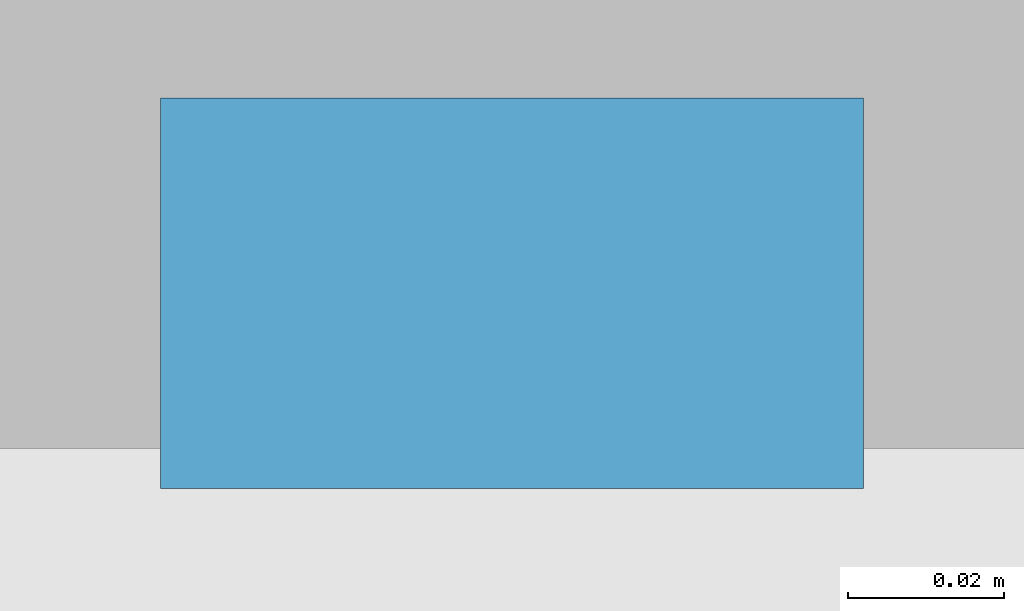
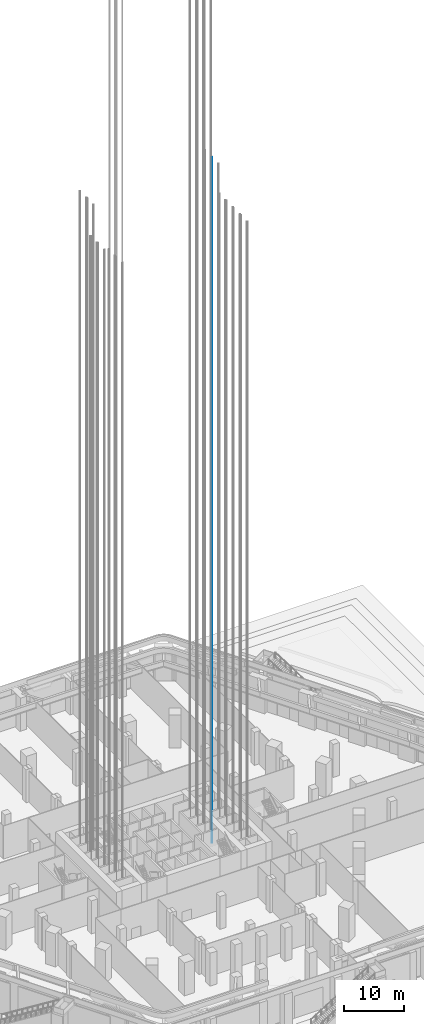
# One storey, part 58 of 68: 1 discrete accessory.
"""IFC4 building model written with IfcOpenShell, lengths in metres."""

from ifc_helpers import new_model, si_unit, direction, frame, origin, origin_2d, place, context, subcontext, project, spatial, rectangle, extrude, element, save


model = new_model("IFC4")

# Units and contexts
model_context = context("Model", 3, precision=1e-05, world=origin(), true_north=direction((0.0, 1.0)))
body_context = subcontext(model_context, "Body", "Model", "MODEL_VIEW")
ifc_project = project(units=[si_unit("LENGTHUNIT", "METRE"), si_unit("AREAUNIT", "SQUARE_METRE"), si_unit("VOLUMEUNIT", "CUBIC_METRE"), si_unit("PLANEANGLEUNIT", "RADIAN"), si_unit("MASSUNIT", "GRAM", prefix="KILO")], contexts=[model_context])

# Site, building, storey
site_placement = place(None, origin())
site = spatial("IfcSite", under=ifc_project, at=site_placement, CompositionType="ELEMENT")
building_placement = place(site_placement, origin())
building = spatial("IfcBuilding", under=site, at=building_placement, Name="Kolab Exchange Tower", CompositionType="ELEMENT")
storey_placement = place(building_placement, origin())
storey = spatial("IfcBuildingStorey", under=building, at=storey_placement, Name="L00", CompositionType="ELEMENT", Elevation=0.0)

# Discrete accessory
discrete_accessory_placement = place(storey_placement, frame((12.0, 4.669921875, -1.599853515625), z_axis=(0.0, 0.0, 1.0), x_axis=(1.0, 0.0, 0.0)))
element("IfcDiscreteAccessory", 1, at=discrete_accessory_placement, inside=storey, Name="Guide rail SH1-2", ObjectType="GUIDE RAIL", PredefinedType="USERDEFINED", context=body_context, shape_type="SweptSolid", body=[
    extrude(rectangle(XDim=0.090087890625, YDim=0.050048828125, at=origin_2d()), origin(), (0.0, 0.0, 1.0), 139.39990234375),
])

save(model, "model.ifc")
